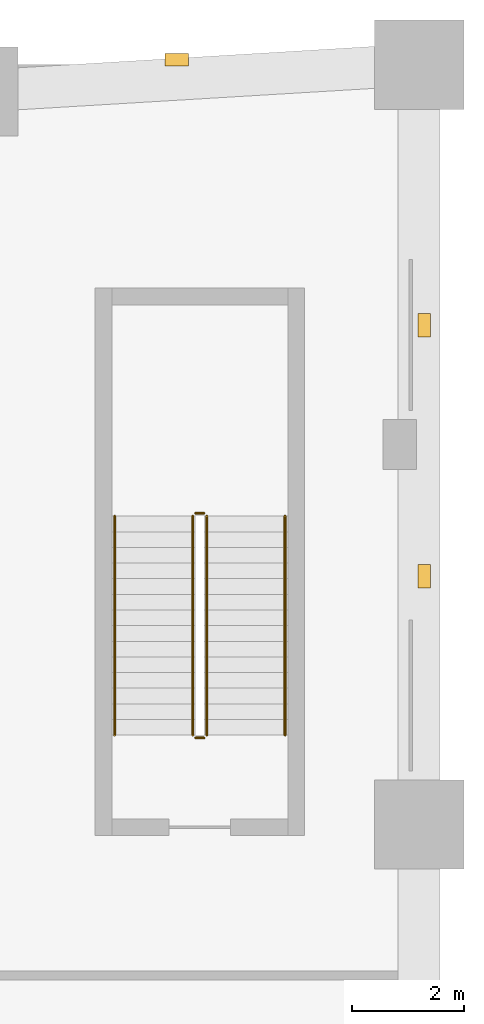
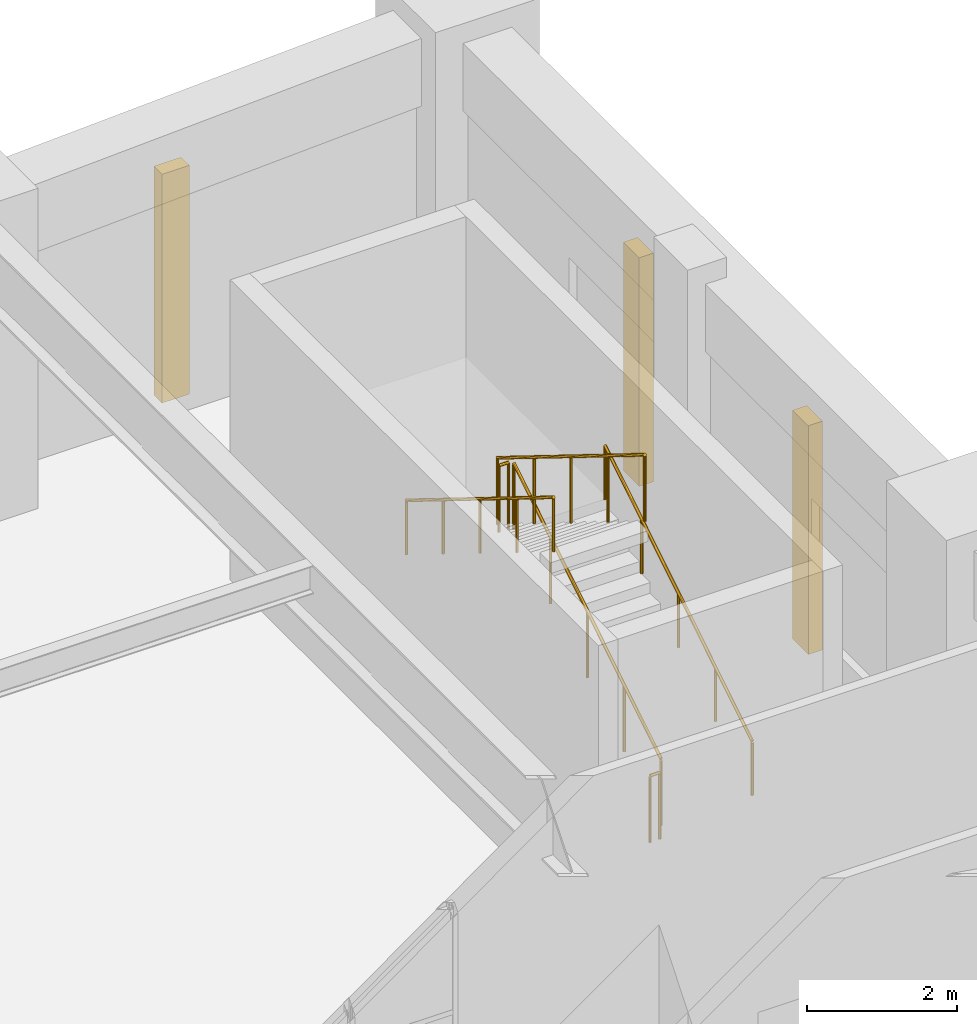
# One storey, part 14 of 14: 6 railings, 3 coverings.
"""IFC4 building model written with IfcOpenShell, lengths in metres."""

import ifcopenshell
import ifcopenshell.guid

model = None  # the IFC model being written
_history = None  # IfcOwnerHistory: only IFC2X3 demands one
_inside = {}  # id of a spatial element -> (the spatial element, [elements in it])
_under = {}  # id of a project, library or spatial element -> (it, [spatial elements below it])
_declared = {}  # id of a project -> (the project, [libraries it declares])
_typed = {}  # id of a type object -> (the type object, [elements of that type])
_made_of = {}  # id of a material, layer set ... -> (it, [elements and type objects made of it])


def new_model(schema):
    """Start an empty IFC model of exactly this schema.

    Asked for "IFC4X3", IfcOpenShell would pick the latest addendum, in which some entities
    have other attributes; the version numbers below select the first issue.
    IFC2X3 requires an IfcOwnerHistory on every rooted entity: one is made here for all.
    """
    global model, _history
    if schema == "IFC4X3":
        model = ifcopenshell.file(schema_version=(4, 3, 0, 0))
    else:
        model = ifcopenshell.file(schema=schema)
    _inside.clear()
    _under.clear()
    _declared.clear()
    _typed.clear()
    _made_of.clear()
    _history = None
    if model.schema == "IFC2X3":
        org = make("IfcOrganization", Name="unknown")
        user = make(
            "IfcPersonAndOrganization",
            ThePerson=make("IfcPerson", FamilyName="unknown"),
            TheOrganization=org,
        )
        app = make(
            "IfcApplication",
            ApplicationDeveloper=org,
            Version="unknown",
            ApplicationFullName="unknown",
            ApplicationIdentifier="unknown",
        )
        _history = make(
            "IfcOwnerHistory",
            OwningUser=user,
            OwningApplication=app,
            ChangeAction="ADDED",
            CreationDate=0,
        )
    return model


def make(cls, **values):
    """One entity of the class cls with the attributes given. An attribute that is None is left unset."""
    return model.create_entity(
        cls, **{name: value for name, value in values.items() if value is not None}
    )


def rooted(cls, **values):
    """An entity with a GlobalId (a new one), such as an element, a storey or a relation."""
    return make(cls, GlobalId=ifcopenshell.guid.new(), OwnerHistory=_history, **values)


def si_unit(unit_type, name, prefix=None):
    """IfcSIUnit, for example si_unit("LENGTHUNIT", "METRE", prefix="MILLI")."""
    return make("IfcSIUnit", UnitType=unit_type, Prefix=prefix, Name=name)


def derived_unit(unit_type, elements):
    """IfcDerivedUnit: a product of units, each with its exponent."""
    return make(
        "IfcDerivedUnit",
        Elements=[
            make("IfcDerivedUnitElement", Unit=unit, Exponent=power)
            for unit, power in elements
        ],
        UnitType=unit_type,
    )


def assignment(units):
    """IfcUnitAssignment: the units of a project."""
    return None if units is None else make("IfcUnitAssignment", Units=units)


def point(xyz):
    """IfcCartesianPoint."""
    return None if xyz is None else make("IfcCartesianPoint", Coordinates=xyz)


def direction(xyz):
    """IfcDirection."""
    return None if xyz is None else make("IfcDirection", DirectionRatios=xyz)


def frame(location, z_axis=None, x_axis=None):
    """IfcAxis2Placement3D, a coordinate frame: its origin and axes. An axis left out is left unset."""
    return make(
        "IfcAxis2Placement3D",
        Location=point(location),
        Axis=direction(z_axis),
        RefDirection=direction(x_axis),
    )


def frame_2d(location, x_axis=None):
    """IfcAxis2Placement2D, a coordinate frame in the plane: its origin and x axis."""
    return make(
        "IfcAxis2Placement2D", Location=point(location), RefDirection=direction(x_axis)
    )


def origin():
    """The frame at (0, 0, 0) with its axes left unset."""
    return frame((0.0, 0.0, 0.0))


def origin_2d():
    """The frame at (0, 0) in the plane with its x axis left unset."""
    return frame_2d((0.0, 0.0))


def place(relative_to, where):
    """IfcLocalPlacement: puts the frame where relative to a parent placement (None: the world)."""
    return make(
        "IfcLocalPlacement", PlacementRelTo=relative_to, RelativePlacement=where
    )


def context(
    kind, dimensions, precision=None, world=None, true_north=None, identifier=None
):
    """IfcGeometricRepresentationContext, for example the 3D "Model" context."""
    return make(
        "IfcGeometricRepresentationContext",
        ContextIdentifier=identifier,
        ContextType=kind,
        CoordinateSpaceDimension=dimensions,
        Precision=precision,
        WorldCoordinateSystem=world,
        TrueNorth=true_north,
    )


def subcontext(parent, identifier, kind, view, scale=None):
    """IfcGeometricRepresentationSubContext, for example "Body" below "Model"."""
    return make(
        "IfcGeometricRepresentationSubContext",
        ContextIdentifier=identifier,
        ContextType=kind,
        ParentContext=parent,
        TargetScale=scale,
        TargetView=view,
    )


def project(units=None, contexts=None):
    """IfcProject with its units and contexts."""
    return rooted(
        "IfcProject",
        Name="project",
        RepresentationContexts=contexts,
        UnitsInContext=assignment(units),
    )


def spatial(cls, under=None, at=None, **own):
    """A site, building, storey or space (cls), placed at a placement, below another one or the project."""
    s = rooted(cls, ObjectPlacement=at, **own)
    if under is not None:
        _under.setdefault(under.id(), (under, []))[1].append(s)
    return s


def profile(cls, at=None, kind="AREA", **sizes):
    """A parametric profile (cls). Its sizes go by their IFC names, for example OverallWidth=200.0."""
    return make(cls, ProfileType=kind, Position=at, **sizes)


def rectangle(**sizes):
    """IfcRectangleProfileDef."""
    return profile("IfcRectangleProfileDef", **sizes)


def circle(**sizes):
    """IfcCircleProfileDef."""
    return profile("IfcCircleProfileDef", **sizes)


def extrude(swept, where, along, depth):
    """IfcExtrudedAreaSolid: the profile swept, set in the frame where, extruded along a direction by depth."""
    return make(
        "IfcExtrudedAreaSolid",
        SweptArea=swept,
        Position=where,
        ExtrudedDirection=direction(along),
        Depth=depth,
    )


def shape(context_of_items, identifier, shape_type, items):
    """IfcShapeRepresentation: the items that make up one representation, for example the "Body"."""
    return make(
        "IfcShapeRepresentation",
        ContextOfItems=context_of_items,
        RepresentationIdentifier=identifier,
        RepresentationType=shape_type,
        Items=items,
    )


def material(Name=None, Category=None):
    """IfcMaterial."""
    return make("IfcMaterial", Name=Name, Category=Category)


def layer(
    of_material, thickness, ventilated=None, Name=None, Category=None, Priority=None
):
    """IfcMaterialLayer: one layer of a wall or slab, of a material (None: an air gap)."""
    return make(
        "IfcMaterialLayer",
        Material=of_material,
        LayerThickness=thickness,
        IsVentilated=ventilated,
        Name=Name,
        Category=Category,
        Priority=Priority,
    )


def layer_set(layers, Name=None):
    """IfcMaterialLayerSet."""
    return make("IfcMaterialLayerSet", MaterialLayers=layers, LayerSetName=Name)


def made_of(thing, what):
    """Note that an element or type object is made of a material, layer set ...; save() writes the relation."""
    if what is not None:
        _made_of.setdefault(what.id(), (what, []))[1].append(thing)
    return thing


def type_object(cls, material=None, **own):
    """A type object (cls), such as IfcWallType, which elements share."""
    return made_of(rooted(cls, **own), material)


def element(
    cls,
    number,
    at=None,
    inside=None,
    cuts=None,
    type_object=None,
    material=None,
    context=None,
    identifier="Body",
    shape_type=None,
    held_by="IfcProductDefinitionShape",
    body=None,
    shapes=None,
    **own,
):
    """One element of the class cls, such as IfcWall. Its Tag is "e" and its number.

    at: its placement. inside: the storey or other place that contains it. cuts: it is an
    opening in that element (IfcRelVoidsElement). A single representation is given by context,
    identifier, shape_type and body (its items); several are given by shapes. held_by: the class
    of the entity that holds the representations. save() writes the other relations.
    """
    e = rooted(cls, Tag="e%d" % number, ObjectPlacement=at, **own)
    if body is not None:
        shapes = [shape(context, identifier, shape_type, body)]
    if shapes is not None:
        e.Representation = make(held_by, Representations=shapes)
    if inside is not None:
        _inside.setdefault(inside.id(), (inside, []))[1].append(e)
    if cuts is not None:
        rooted(
            "IfcRelVoidsElement", RelatingBuildingElement=cuts, RelatedOpeningElement=e
        )
    if type_object is not None:
        _typed.setdefault(type_object.id(), (type_object, []))[1].append(e)
    return made_of(e, material)


def aggregate(whole, parts):
    """IfcRelAggregates: a whole, such as a stair, and the parts it consists of."""
    return rooted("IfcRelAggregates", RelatingObject=whole, RelatedObjects=parts)


def save(model, path):
    """Write the relations noted so far, then the file.

    IfcRelAggregates (storeys below a building ...), IfcRelContainedInSpatialStructure (elements
    in a storey), IfcRelDefinesByType, IfcRelAssociatesMaterial and IfcRelDeclares: one each for
    every whole, place, type object, material and project.
    """
    for whole, parts in _under.values():
        aggregate(whole, parts)
    for where, things in _inside.values():
        rooted(
            "IfcRelContainedInSpatialStructure",
            RelatedElements=things,
            RelatingStructure=where,
        )
    for kind, things in _typed.values():
        rooted("IfcRelDefinesByType", RelatedObjects=things, RelatingType=kind)
    for what, things in _made_of.values():
        rooted("IfcRelAssociatesMaterial", RelatedObjects=things, RelatingMaterial=what)
    for by, libraries in _declared.values():
        rooted("IfcRelDeclares", RelatingContext=by, RelatedDefinitions=libraries)
    model.write(path)


model = new_model("IFC4")

# Units and contexts
model_context = context("Model", 3, precision=1e-05, world=origin(), true_north=direction((0.0, 1.0)))
body_context = subcontext(model_context, "Body", "Model", "MODEL_VIEW")
ifc_project = project(units=[si_unit("LENGTHUNIT", "METRE"), si_unit("AREAUNIT", "SQUARE_METRE"), si_unit("VOLUMEUNIT", "CUBIC_METRE"), si_unit("PLANEANGLEUNIT", "RADIAN"), si_unit("MASSUNIT", "GRAM", prefix="KILO"), derived_unit("THERMALTRANSMITTANCEUNIT", [(si_unit("MASSUNIT", "GRAM", prefix="KILO"), 1), (si_unit("TIMEUNIT", "SECOND"), -3), (si_unit("THERMODYNAMICTEMPERATUREUNIT", "KELVIN"), -1)])], contexts=[model_context])

# Site, building, storey
site_placement = place(None, origin())
site = spatial("IfcSite", under=ifc_project, at=site_placement, CompositionType="ELEMENT")
building_placement = place(site_placement, origin())
building = spatial("IfcBuilding", under=site, at=building_placement, Name="Korrvale Station Residences", CompositionType="ELEMENT")
storey_placement = place(building_placement, frame((0.0, 0.0, 6.0)))
storey = spatial("IfcBuildingStorey", under=building, at=storey_placement, Name="L01", CompositionType="ELEMENT", Elevation=6.0)

# Coverings
ifc_material_1 = material(Name="Architectural precast concrete C45/55", Category="concrete")
ifc_layer = layer(ifc_material_1, 0.219970703125, Name="Architectural precast concrete C45/55")
ifc_layer_set = layer_set([ifc_layer], Name="Architectural precast concrete C45/55")
covering_type = type_object("IfcCoveringType", Name="COV-PIER-400", PredefinedType="CLADDING", material=ifc_layer_set)
for number, where, z_axis, x_axis, name in (
    (1, (49.659912109375, 47.68994140625, 0.02490234375), (0.0, 0.0, 1.0), (1.0, 0.0, 0.0), "L01 Architectural Precast Facade Pier 12"),
    (2, (54.090087890625, 42.93994140625, 0.02490234375), (0.0, 0.0, 1.0), (0.0, 1.0, 0.0), "L01 Architectural Precast Facade Pier 18"),
    (3, (54.090087890625, 38.43994140625, 0.02490234375), (0.0, 0.0, 1.0), (0.0, 1.0, 0.0), "L01 Architectural Precast Facade Pier 19"),
):
    element("IfcCovering", number, at=place(storey_placement, frame(where, z_axis=z_axis, x_axis=x_axis)), inside=storey, type_object=covering_type, Name=name, PredefinedType="CLADDING", context=body_context, shape_type="SweptSolid", body=[
        extrude(rectangle(XDim=0.419921875, YDim=0.219970703125, at=origin_2d()), origin(), (0.0, 0.0, 1.0), 3.715087890625),
    ])

# Railings
ifc_material_2 = material(Name="Brushed stainless-steel continuous stair handrail", Category="steel")
railing_type_1 = type_object("IfcRailingType", Name="RLG-SHND-900", PredefinedType="HANDRAIL", material=ifc_material_2)
railing_1_placement = place(storey_placement, frame((51.60009765625, 35.60009765625, 0.17333984375)))
element("IfcRailing", 4, at=railing_1_placement, inside=storey, type_object=railing_type_1, Name="L01 ST-4 stair handrail 1", PredefinedType="HANDRAIL", context=body_context, shape_type="SweptSolid", body=[
    extrude(circle(Radius=0.02392578125, at=origin_2d()), frame((0.0, 0.0, 0.8759765625), z_axis=(0.0, 0.850251603719, 0.526376491091), x_axis=(-1.0, 0.0, 0.0)), (0.0, 0.0, 1.0), 4.6103515625),
    extrude(circle(Radius=0.02099609375, at=origin_2d()), origin(), (0.0, 0.0, 1.0), 0.851806640625),
    extrude(circle(Radius=0.02099609375, at=origin_2d()), frame((0.0, 0.97998046875, 0.606689453125)), (0.0, 0.0, 1.0), 0.851806640625),
    extrude(circle(Radius=0.02099609375, at=origin_2d()), frame((0.0, 1.9599609375, 1.21337890625)), (0.0, 0.0, 1.0), 0.851806640625),
    extrude(circle(Radius=0.02099609375, at=origin_2d()), frame((0.0, 2.93994140625, 1.820068359375)), (0.0, 0.0, 1.0), 0.851806640625),
    extrude(circle(Radius=0.02099609375, at=origin_2d()), frame((0.0, 3.919921875, 2.4267578125)), (0.0, 0.0, 1.0), 0.851806640625),
])
railing_2_placement = place(storey_placement, frame((48.550048828125, 39.52001953125, 2.7734375)))
element("IfcRailing", 5, at=railing_2_placement, inside=storey, type_object=railing_type_1, Name="L01 ST-4 stair handrail 2", PredefinedType="HANDRAIL", context=body_context, shape_type="SweptSolid", body=[
    extrude(circle(Radius=0.02392578125, at=origin_2d()), frame((0.0, 0.0, 0.8759765625), z_axis=(0.0, -0.850275303828, 0.526338206574), x_axis=(1.0, 0.0, 0.0)), (0.0, 0.0, 1.0), 4.610107421875),
    extrude(circle(Radius=0.02099609375, at=origin_2d()), origin(), (0.0, 0.0, 1.0), 0.851806640625),
    extrude(circle(Radius=0.02099609375, at=origin_2d()), frame((0.0, -0.97998046875, 0.606689453125)), (0.0, 0.0, 1.0), 0.851806640625),
    extrude(circle(Radius=0.02099609375, at=origin_2d()), frame((0.0, -1.9599609375, 1.21337890625)), (0.0, 0.0, 1.0), 0.851806640625),
    extrude(circle(Radius=0.02099609375, at=origin_2d()), frame((0.0, -2.93994140625, 1.81982421875)), (0.0, 0.0, 1.0), 0.851806640625),
    extrude(circle(Radius=0.02099609375, at=origin_2d()), frame((0.0, -3.919921875, 2.426513671875)), (0.0, 0.0, 1.0), 0.851806640625),
])
ifc_material_3 = material(Name="Galvanised painted tubular steel stair guard", Category="steel")
railing_type_2 = type_object("IfcRailingType", Name="RLG-STR-1100", PredefinedType="GUARDRAIL", material=ifc_material_3)
railing_3_placement = place(storey_placement, frame((50.199951171875, 35.60009765625, 0.17333984375)))
element("IfcRailing", 6, at=railing_3_placement, inside=storey, type_object=railing_type_2, Name="L01 ST-4 stair guard 1", PredefinedType="GUARDRAIL", context=body_context, shape_type="SweptSolid", body=[
    extrude(circle(Radius=0.02392578125, at=origin_2d()), frame((0.0, 0.0, 1.076171875), z_axis=(0.0, 0.850251603719, 0.526376491091), x_axis=(-1.0, 0.0, 0.0)), (0.0, 0.0, 1.0), 4.6103515625),
    extrude(circle(Radius=0.02099609375, at=origin_2d()), origin(), (0.0, 0.0, 1.0), 1.052001953125),
    extrude(circle(Radius=0.02099609375, at=origin_2d()), frame((0.0, 0.97998046875, 0.606689453125)), (0.0, 0.0, 1.0), 1.052001953125),
    extrude(circle(Radius=0.02099609375, at=origin_2d()), frame((0.0, 1.9599609375, 1.21337890625)), (0.0, 0.0, 1.0), 1.052001953125),
    extrude(circle(Radius=0.02099609375, at=origin_2d()), frame((0.0, 2.93994140625, 1.820068359375)), (0.0, 0.0, 1.0), 1.052001953125),
    extrude(circle(Radius=0.02099609375, at=origin_2d()), frame((0.0, 3.919921875, 2.4267578125)), (0.0, 0.0, 1.0), 1.052001953125),
])
railing_4_placement = place(storey_placement, frame((50.14990234375, 39.570068359375, 2.60009765625)))
element("IfcRailing", 7, at=railing_4_placement, inside=storey, type_object=railing_type_2, Name="L01 ST-4 stair guard 2", PredefinedType="GUARDRAIL", context=body_context, shape_type="SweptSolid", body=[
    extrude(circle(Radius=0.02392578125, at=origin_2d()), frame((0.0, 0.0, 1.076171875), z_axis=(-1.0, 0.0, 0.0), x_axis=(0.0, -1.0, 0.0)), (0.0, 0.0, 1.0), 0.14990234375),
    extrude(circle(Radius=0.02099609375, at=origin_2d()), origin(), (0.0, 0.0, 1.0), 1.052001953125),
    extrude(circle(Radius=0.02099609375, at=origin_2d()), frame((-0.14990234375, 0.0, 0.0)), (0.0, 0.0, 1.0), 1.052001953125),
])
railing_5_placement = place(storey_placement, frame((49.949951171875, 39.52001953125, 2.7734375)))
element("IfcRailing", 8, at=railing_5_placement, inside=storey, type_object=railing_type_2, Name="L01 ST-4 stair guard 3", PredefinedType="GUARDRAIL", context=body_context, shape_type="SweptSolid", body=[
    extrude(circle(Radius=0.02392578125, at=origin_2d()), frame((0.0, 0.0, 1.076171875), z_axis=(0.0, -0.850275303828, 0.526338206574), x_axis=(1.0, 0.0, 0.0)), (0.0, 0.0, 1.0), 4.610107421875),
    extrude(circle(Radius=0.02099609375, at=origin_2d()), origin(), (0.0, 0.0, 1.0), 1.052001953125),
    extrude(circle(Radius=0.02099609375, at=origin_2d()), frame((0.0, -0.97998046875, 0.606689453125)), (0.0, 0.0, 1.0), 1.052001953125),
    extrude(circle(Radius=0.02099609375, at=origin_2d()), frame((0.0, -1.9599609375, 1.21337890625)), (0.0, 0.0, 1.0), 1.052001953125),
    extrude(circle(Radius=0.02099609375, at=origin_2d()), frame((0.0, -2.93994140625, 1.81982421875)), (0.0, 0.0, 1.0), 1.052001953125),
    extrude(circle(Radius=0.02099609375, at=origin_2d()), frame((0.0, -3.919921875, 2.426513671875)), (0.0, 0.0, 1.0), 1.052001953125),
])
railing_6_placement = place(storey_placement, frame((50.14990234375, 35.550048828125, 0.0)))
element("IfcRailing", 9, at=railing_6_placement, inside=storey, type_object=railing_type_2, Name="L01 ST-4 stair guard 4", PredefinedType="GUARDRAIL", context=body_context, shape_type="SweptSolid", body=[
    extrude(circle(Radius=0.02392578125, at=origin_2d()), frame((0.0, 0.0, 1.076171875), z_axis=(-1.0, 0.0, 0.0), x_axis=(0.0, -1.0, 0.0)), (0.0, 0.0, 1.0), 0.14990234375),
    extrude(circle(Radius=0.02099609375, at=origin_2d()), origin(), (0.0, 0.0, 1.0), 1.052001953125),
    extrude(circle(Radius=0.02099609375, at=origin_2d()), frame((-0.14990234375, 0.0, 0.0)), (0.0, 0.0, 1.0), 1.052001953125),
])

save(model, "model.ifc")
